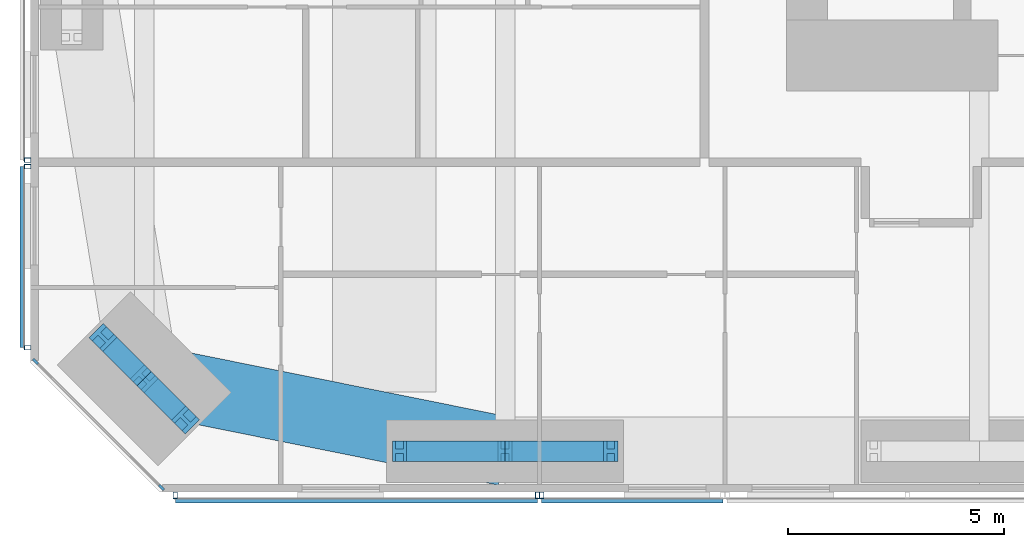
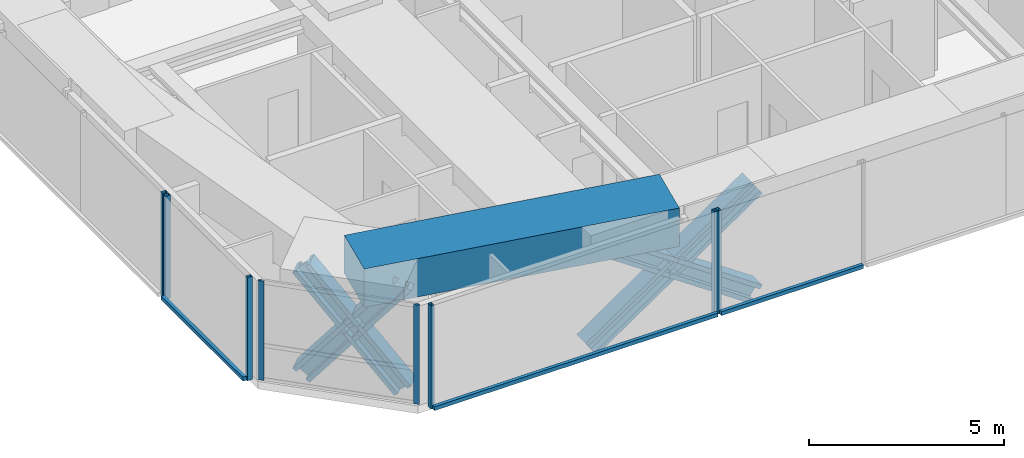
# One storey, part 2 of 24: 19 members, 1 beam, 5 elements without a shape of their own.
"""IFC4 building model written with IfcOpenShell, lengths in metres."""

import ifcopenshell
import ifcopenshell.guid

model = None  # the IFC model being written
_history = None  # IfcOwnerHistory: only IFC2X3 demands one
_inside = {}  # id of a spatial element -> (the spatial element, [elements in it])
_under = {}  # id of a project, library or spatial element -> (it, [spatial elements below it])
_declared = {}  # id of a project -> (the project, [libraries it declares])
_typed = {}  # id of a type object -> (the type object, [elements of that type])
_made_of = {}  # id of a material, layer set ... -> (it, [elements and type objects made of it])


def new_model(schema):
    """Start an empty IFC model of exactly this schema.

    Asked for "IFC4X3", IfcOpenShell would pick the latest addendum, in which some entities
    have other attributes; the version numbers below select the first issue.
    IFC2X3 requires an IfcOwnerHistory on every rooted entity: one is made here for all.
    """
    global model, _history
    if schema == "IFC4X3":
        model = ifcopenshell.file(schema_version=(4, 3, 0, 0))
    else:
        model = ifcopenshell.file(schema=schema)
    _inside.clear()
    _under.clear()
    _declared.clear()
    _typed.clear()
    _made_of.clear()
    _history = None
    if model.schema == "IFC2X3":
        org = make("IfcOrganization", Name="unknown")
        user = make(
            "IfcPersonAndOrganization",
            ThePerson=make("IfcPerson", FamilyName="unknown"),
            TheOrganization=org,
        )
        app = make(
            "IfcApplication",
            ApplicationDeveloper=org,
            Version="unknown",
            ApplicationFullName="unknown",
            ApplicationIdentifier="unknown",
        )
        _history = make(
            "IfcOwnerHistory",
            OwningUser=user,
            OwningApplication=app,
            ChangeAction="ADDED",
            CreationDate=0,
        )
    return model


def make(cls, **values):
    """One entity of the class cls with the attributes given. An attribute that is None is left unset."""
    return model.create_entity(
        cls, **{name: value for name, value in values.items() if value is not None}
    )


def rooted(cls, **values):
    """An entity with a GlobalId (a new one), such as an element, a storey or a relation."""
    return make(cls, GlobalId=ifcopenshell.guid.new(), OwnerHistory=_history, **values)


def si_unit(unit_type, name, prefix=None):
    """IfcSIUnit, for example si_unit("LENGTHUNIT", "METRE", prefix="MILLI")."""
    return make("IfcSIUnit", UnitType=unit_type, Prefix=prefix, Name=name)


def assignment(units):
    """IfcUnitAssignment: the units of a project."""
    return None if units is None else make("IfcUnitAssignment", Units=units)


def point(xyz):
    """IfcCartesianPoint."""
    return None if xyz is None else make("IfcCartesianPoint", Coordinates=xyz)


def direction(xyz):
    """IfcDirection."""
    return None if xyz is None else make("IfcDirection", DirectionRatios=xyz)


def frame(location, z_axis=None, x_axis=None):
    """IfcAxis2Placement3D, a coordinate frame: its origin and axes. An axis left out is left unset."""
    return make(
        "IfcAxis2Placement3D",
        Location=point(location),
        Axis=direction(z_axis),
        RefDirection=direction(x_axis),
    )


def frame_2d(location, x_axis=None):
    """IfcAxis2Placement2D, a coordinate frame in the plane: its origin and x axis."""
    return make(
        "IfcAxis2Placement2D", Location=point(location), RefDirection=direction(x_axis)
    )


def origin():
    """The frame at (0, 0, 0) with its axes left unset."""
    return frame((0.0, 0.0, 0.0))


def origin_2d():
    """The frame at (0, 0) in the plane with its x axis left unset."""
    return frame_2d((0.0, 0.0))


def place(relative_to, where):
    """IfcLocalPlacement: puts the frame where relative to a parent placement (None: the world)."""
    return make(
        "IfcLocalPlacement", PlacementRelTo=relative_to, RelativePlacement=where
    )


def context(
    kind, dimensions, precision=None, world=None, true_north=None, identifier=None
):
    """IfcGeometricRepresentationContext, for example the 3D "Model" context."""
    return make(
        "IfcGeometricRepresentationContext",
        ContextIdentifier=identifier,
        ContextType=kind,
        CoordinateSpaceDimension=dimensions,
        Precision=precision,
        WorldCoordinateSystem=world,
        TrueNorth=true_north,
    )


def subcontext(parent, identifier, kind, view, scale=None):
    """IfcGeometricRepresentationSubContext, for example "Body" below "Model"."""
    return make(
        "IfcGeometricRepresentationSubContext",
        ContextIdentifier=identifier,
        ContextType=kind,
        ParentContext=parent,
        TargetScale=scale,
        TargetView=view,
    )


def project(units=None, contexts=None):
    """IfcProject with its units and contexts."""
    return rooted(
        "IfcProject",
        Name="project",
        RepresentationContexts=contexts,
        UnitsInContext=assignment(units),
    )


def spatial(cls, under=None, at=None, **own):
    """A site, building, storey or space (cls), placed at a placement, below another one or the project."""
    s = rooted(cls, ObjectPlacement=at, **own)
    if under is not None:
        _under.setdefault(under.id(), (under, []))[1].append(s)
    return s


def profile(cls, at=None, kind="AREA", **sizes):
    """A parametric profile (cls). Its sizes go by their IFC names, for example OverallWidth=200.0."""
    return make(cls, ProfileType=kind, Position=at, **sizes)


def rectangle(**sizes):
    """IfcRectangleProfileDef."""
    return profile("IfcRectangleProfileDef", **sizes)


def hollow_rectangle(**sizes):
    """IfcRectangleHollowProfileDef."""
    return profile("IfcRectangleHollowProfileDef", **sizes)


def i_section(**sizes):
    """IfcIShapeProfileDef."""
    return profile("IfcIShapeProfileDef", **sizes)


def extrude(swept, where, along, depth):
    """IfcExtrudedAreaSolid: the profile swept, set in the frame where, extruded along a direction by depth."""
    return make(
        "IfcExtrudedAreaSolid",
        SweptArea=swept,
        Position=where,
        ExtrudedDirection=direction(along),
        Depth=depth,
    )


def shape(context_of_items, identifier, shape_type, items):
    """IfcShapeRepresentation: the items that make up one representation, for example the "Body"."""
    return make(
        "IfcShapeRepresentation",
        ContextOfItems=context_of_items,
        RepresentationIdentifier=identifier,
        RepresentationType=shape_type,
        Items=items,
    )


def material(Name=None, Category=None):
    """IfcMaterial."""
    return make("IfcMaterial", Name=Name, Category=Category)


def material_profile(
    of_material, cross_section, Name=None, Category=None, Priority=None
):
    """IfcMaterialProfile: a cross section and its material."""
    return make(
        "IfcMaterialProfile",
        Name=Name,
        Material=of_material,
        Profile=cross_section,
        Priority=Priority,
        Category=Category,
    )


def profile_set(profiles, Name=None, composite=None):
    """IfcMaterialProfileSet."""
    return make(
        "IfcMaterialProfileSet",
        Name=Name,
        MaterialProfiles=profiles,
        CompositeProfile=composite,
    )


def made_of(thing, what):
    """Note that an element or type object is made of a material, layer set ...; save() writes the relation."""
    if what is not None:
        _made_of.setdefault(what.id(), (what, []))[1].append(thing)
    return thing


def type_object(cls, material=None, **own):
    """A type object (cls), such as IfcWallType, which elements share."""
    return made_of(rooted(cls, **own), material)


def element(
    cls,
    number,
    at=None,
    inside=None,
    cuts=None,
    type_object=None,
    material=None,
    context=None,
    identifier="Body",
    shape_type=None,
    held_by="IfcProductDefinitionShape",
    body=None,
    shapes=None,
    **own,
):
    """One element of the class cls, such as IfcWall. Its Tag is "e" and its number.

    at: its placement. inside: the storey or other place that contains it. cuts: it is an
    opening in that element (IfcRelVoidsElement). A single representation is given by context,
    identifier, shape_type and body (its items); several are given by shapes. held_by: the class
    of the entity that holds the representations. save() writes the other relations.
    """
    e = rooted(cls, Tag="e%d" % number, ObjectPlacement=at, **own)
    if body is not None:
        shapes = [shape(context, identifier, shape_type, body)]
    if shapes is not None:
        e.Representation = make(held_by, Representations=shapes)
    if inside is not None:
        _inside.setdefault(inside.id(), (inside, []))[1].append(e)
    if cuts is not None:
        rooted(
            "IfcRelVoidsElement", RelatingBuildingElement=cuts, RelatedOpeningElement=e
        )
    if type_object is not None:
        _typed.setdefault(type_object.id(), (type_object, []))[1].append(e)
    return made_of(e, material)


def aggregate(whole, parts):
    """IfcRelAggregates: a whole, such as a stair, and the parts it consists of."""
    return rooted("IfcRelAggregates", RelatingObject=whole, RelatedObjects=parts)


def save(model, path):
    """Write the relations noted so far, then the file.

    IfcRelAggregates (storeys below a building ...), IfcRelContainedInSpatialStructure (elements
    in a storey), IfcRelDefinesByType, IfcRelAssociatesMaterial and IfcRelDeclares: one each for
    every whole, place, type object, material and project.
    """
    for whole, parts in _under.values():
        aggregate(whole, parts)
    for where, things in _inside.values():
        rooted(
            "IfcRelContainedInSpatialStructure",
            RelatedElements=things,
            RelatingStructure=where,
        )
    for kind, things in _typed.values():
        rooted("IfcRelDefinesByType", RelatedObjects=things, RelatingType=kind)
    for what, things in _made_of.values():
        rooted("IfcRelAssociatesMaterial", RelatedObjects=things, RelatingMaterial=what)
    for by, libraries in _declared.values():
        rooted("IfcRelDeclares", RelatingContext=by, RelatedDefinitions=libraries)
    model.write(path)


model = new_model("IFC4")

# Units and contexts
model_context = context("Model", 3, precision=1e-05, world=origin(), true_north=direction((0.0, 1.0)))
body_context = subcontext(model_context, "Body", "Model", "MODEL_VIEW")
ifc_project = project(units=[si_unit("LENGTHUNIT", "METRE"), si_unit("AREAUNIT", "SQUARE_METRE"), si_unit("VOLUMEUNIT", "CUBIC_METRE"), si_unit("PLANEANGLEUNIT", "RADIAN"), si_unit("MASSUNIT", "GRAM", prefix="KILO")], contexts=[model_context])

# Site, building, storey
site_placement = place(None, origin())
site = spatial("IfcSite", under=ifc_project, at=site_placement, CompositionType="ELEMENT")
building_placement = place(site_placement, origin())
building = spatial("IfcBuilding", under=site, at=building_placement, Name="Jalousie Tower", CompositionType="ELEMENT")
storey_placement = place(building_placement, frame((0.0, 0.0, 54.5)))
storey = spatial("IfcBuildingStorey", under=building, at=storey_placement, Name="L14", CompositionType="ELEMENT", Elevation=54.5)

# Curtain wall, members
ifc_material_1 = material(Name="Aluminium curtain wall", Category="aluminium")
curtain_wall_type_1 = type_object("IfcCurtainWallType", Name="CORNER WINDOW WALL", PredefinedType="USERDEFINED", material=ifc_material_1)
curtain_wall_1_placement = place(storey_placement, origin())
curtain_wall_1 = element("IfcCurtainWall", 1, at=curtain_wall_1_placement, inside=storey, type_object=curtain_wall_type_1, Name="Corner Window Wall L14 8", ObjectType="CORNER WINDOW WALL", PredefinedType="USERDEFINED")
ifc_material_2 = material(Name="Aluminium mullion", Category="aluminium")
ifc_material_profile_1 = material_profile(ifc_material_2, rectangle(XDim=0.06005859375, YDim=0.14990234375, at=origin_2d()), Name="MULLION 60x150")
ifc_profile_set_1 = profile_set([ifc_material_profile_1], Name="Aluminium mullion")
member_type_1 = type_object("IfcMemberType", Name="CORNER WINDOW WALL MULLION", PredefinedType="MULLION", material=ifc_profile_set_1)
member_1_placement = place(storey_placement, frame((2.108642578125, 3.030029296875, 0.0), z_axis=(0.0, 0.0, 1.0), x_axis=(0.707106781187, 0.707106781187, 0.0)))
member_1 = element("IfcMember", 2, at=member_1_placement, type_object=member_type_1, Name="CW-C mullion 1", PredefinedType="MULLION", context=body_context, shape_type="SweptSolid", body=[
    extrude(rectangle(XDim=0.06005859375, YDim=0.14990234375, at=origin_2d()), origin(), (0.0, 0.0, 1.0), 3.110107421875),
])
member_2_placement = place(storey_placement, frame((5.030029296875, 0.108642578125, 0.0), z_axis=(0.0, 0.0, 1.0), x_axis=(0.707106781187, 0.707106781187, 0.0)))
member_2 = element("IfcMember", 3, at=member_2_placement, type_object=member_type_1, Name="CW-C mullion 2", PredefinedType="MULLION", context=body_context, shape_type="SweptSolid", body=[
    extrude(rectangle(XDim=0.06005859375, YDim=0.14990234375, at=origin_2d()), origin(), (0.0, 0.0, 1.0), 3.110107421875),
])
aggregate(curtain_wall_1, [member_1, member_2])

# Members
ifc_material_3 = material(Name="Steel ASTM A992 Grade 50", Category="steel")
ifc_material_profile_2 = material_profile(ifc_material_3, i_section(OverallWidth=0.472412109375, OverallDepth=0.5791015625, WebThickness=0.094970703125, FlangeThickness=0.1298828125, at=origin_2d()), Name="W14X808")
ifc_profile_set_2 = profile_set([ifc_material_profile_2], Name="Steel ASTM A992 Grade 50")
member_type_2 = type_object("IfcMemberType", Name="PERIMETER BRACE W14X808", PredefinedType="BRACE", material=ifc_profile_set_2)
for number, where, z_axis, x_axis, name in (
    (4, (3.6767578125, 3.5859375, -0.60009765625), (0.443718327034, -0.443718327034, 0.778606506849), (0.707106781187, 0.707106781187, 0.0), "Perimeter brace 01 L14 part 1"),
    (5, (4.63134765625, 2.63134765625, 1.074951171875), (0.443718327034, -0.443718327034, 0.778606506849), (0.707106781187, 0.707106781187, 0.0), "Perimeter brace 01 L14 part 2"),
    (6, (5.5859375, 1.6767578125, -0.60009765625), (-0.443718327034, 0.443718327034, 0.778606506849), (-0.707106781187, -0.707106781187, 0.0), "Perimeter brace 01 L14 part 3"),
    (7, (4.63134765625, 2.63134765625, 1.074951171875), (-0.443718327034, 0.443718327034, 0.778606506849), (-0.707106781187, -0.707106781187, 0.0), "Perimeter brace 01 L14 part 4"),
):
    element("IfcMember", number, at=place(storey_placement, frame(where, z_axis=z_axis, x_axis=x_axis)), inside=storey, type_object=member_type_2, Name=name, PredefinedType="BRACE", context=body_context, shape_type="SweptSolid", body=[
        extrude(i_section(OverallWidth=0.472412109375, OverallDepth=0.5791015625, WebThickness=0.094970703125, FlangeThickness=0.1298828125, at=origin_2d()), origin(), (0.0, 0.0, 1.0), 2.1513671875),
    ])
for number, where, z_axis, x_axis, name in (
    (8, (10.550048828125, 0.949951171875, -0.60009765625), (0.825500916831, 0.0, 0.564400776321), (0.0, 1.0, 0.0), "Perimeter brace 02 L14 part 1"),
    (9, (13.0, 0.949951171875, 1.074951171875), (0.825500916831, 0.0, 0.564400776321), (0.0, 1.0, 0.0), "Perimeter brace 02 L14 part 2"),
    (10, (15.449951171875, 0.949951171875, -0.60009765625), (-0.825500916831, 0.0, 0.564400776321), (0.0, -1.0, 0.0), "Perimeter brace 02 L14 part 3"),
    (11, (13.0, 0.949951171875, 1.074951171875), (-0.825500916831, 0.0, 0.564400776321), (0.0, -1.0, 0.0), "Perimeter brace 02 L14 part 4"),
):
    element("IfcMember", number, at=place(storey_placement, frame(where, z_axis=z_axis, x_axis=x_axis)), inside=storey, type_object=member_type_2, Name=name, PredefinedType="BRACE", context=body_context, shape_type="SweptSolid", body=[
        extrude(i_section(OverallWidth=0.472412109375, OverallDepth=0.5791015625, WebThickness=0.094970703125, FlangeThickness=0.1298828125, at=origin_2d()), origin(), (0.0, 0.0, 1.0), 2.9677734375),
    ])

# Beam
ifc_material_4 = material(Name="Concrete f'c 40 MPa", Category="concrete")
ifc_material_profile_3 = material_profile(ifc_material_4, rectangle(XDim=1.60009765625, YDim=1.199951171875, at=origin_2d()), Name="RC 1600x1200")
ifc_profile_set_3 = profile_set([ifc_material_profile_3], Name="Concrete f'c 40 MPa")
beam_type = type_object("IfcBeamType", Name="RC BEAM 1600x1200", PredefinedType="BEAM", material=ifc_profile_set_3)
beam_placement = place(storey_placement, frame((4.63134765625, 2.63134765625, 2.75), z_axis=(0.980407585444, -0.196979609107, 0.0), x_axis=(0.196979609107, 0.980407585444, 0.0)))
element("IfcBeam", 12, at=beam_placement, inside=storey, type_object=beam_type, Name="Edge band beam 01-02 under L15", PredefinedType="BEAM", context=body_context, shape_type="SweptSolid", body=[
    extrude(rectangle(XDim=1.60009765625, YDim=1.199951171875, at=origin_2d()), origin(), (0.0, 0.0, 1.0), 8.535888671875),
])

# Curtain wall, members
ifc_material_5 = material(Name="Perforated aluminium sheet", Category="aluminium")
curtain_wall_type_2 = type_object("IfcCurtainWallType", Name="SOLAR SCREEN SS-1", PredefinedType="USERDEFINED", material=ifc_material_5)
curtain_wall_2_placement = place(storey_placement, origin())
curtain_wall_2 = element("IfcCurtainWall", 13, at=curtain_wall_2_placement, inside=storey, type_object=curtain_wall_type_2, Name="Solar screen L14", ObjectType="SOLAR SCREEN SS-1", PredefinedType="USERDEFINED")
ifc_material_6 = material(Name="Steel ASTM A500 Grade C", Category="steel")
ifc_material_profile_4 = material_profile(ifc_material_6, hollow_rectangle(XDim=0.1015625, YDim=0.15234375, WallThickness=0.00634765625, at=origin_2d()), Name="HSS6X4X1/4")
ifc_profile_set_4 = profile_set([ifc_material_profile_4], Name="Steel ASTM A500 Grade C")
member_type_3 = type_object("IfcMemberType", Name="SOLAR SCREEN SS-1 MULLION", PredefinedType="MULLION", material=ifc_profile_set_4)
member_3_placement = place(storey_placement, frame((5.351318359375, -0.0712890625, -0.1201171875), z_axis=(0.0, 0.0, 1.0), x_axis=(1.0, 0.0, 0.0)))
member_3 = element("IfcMember", 14, at=member_3_placement, type_object=member_type_3, Name="SS1 post 1", PredefinedType="MULLION", context=body_context, shape_type="SweptSolid", body=[
    extrude(hollow_rectangle(XDim=0.1015625, YDim=0.15234375, WallThickness=0.00634765625, at=origin_2d()), origin(), (0.0, 0.0, 1.0), 3.230224609375),
])
member_4_placement = place(storey_placement, frame((13.75, -0.0712890625, -0.1201171875), z_axis=(0.0, 0.0, 1.0), x_axis=(1.0, 0.0, 0.0)))
member_4 = element("IfcMember", 15, at=member_4_placement, type_object=member_type_3, Name="SS1 post 2", PredefinedType="MULLION", context=body_context, shape_type="SweptSolid", body=[
    extrude(hollow_rectangle(XDim=0.1015625, YDim=0.15234375, WallThickness=0.00634765625, at=origin_2d()), origin(), (0.0, 0.0, 1.0), 3.230224609375),
])

# Curtain wall, member
curtain_wall_3_placement = place(storey_placement, origin())
curtain_wall_3 = element("IfcCurtainWall", 16, at=curtain_wall_3_placement, inside=storey, type_object=curtain_wall_type_2, Name="Solar screen L14", ObjectType="SOLAR SCREEN SS-1", PredefinedType="USERDEFINED")
member_5_placement = place(storey_placement, frame((13.85009765625, -0.0712890625, -0.1201171875), z_axis=(0.0, 0.0, 1.0), x_axis=(1.0, 0.0, 0.0)))
member_5 = element("IfcMember", 17, at=member_5_placement, type_object=member_type_3, Name="SS1 post 1", PredefinedType="MULLION", context=body_context, shape_type="SweptSolid", body=[
    extrude(hollow_rectangle(XDim=0.1015625, YDim=0.15234375, WallThickness=0.00634765625, at=origin_2d()), origin(), (0.0, 0.0, 1.0), 3.230224609375),
])

curtain_wall_4_placement = place(storey_placement, origin())
curtain_wall_4 = element("IfcCurtainWall", 18, at=curtain_wall_4_placement, inside=storey, type_object=curtain_wall_type_2, Name="Solar screen L14", ObjectType="SOLAR SCREEN SS-1", PredefinedType="USERDEFINED")
member_6_placement = place(storey_placement, frame((1.9287109375, 7.699951171875, -0.1201171875), z_axis=(0.0, 0.0, 1.0), x_axis=(0.0, -1.0, 0.0)))
member_6 = element("IfcMember", 19, at=member_6_placement, type_object=member_type_3, Name="SS1 post 3", PredefinedType="MULLION", context=body_context, shape_type="SweptSolid", body=[
    extrude(hollow_rectangle(XDim=0.1015625, YDim=0.15234375, WallThickness=0.00634765625, at=origin_2d()), origin(), (0.0, 0.0, 1.0), 3.230224609375),
])
aggregate(curtain_wall_4, [member_6])

# Curtain wall, members
curtain_wall_5_placement = place(storey_placement, origin())
curtain_wall_5 = element("IfcCurtainWall", 20, at=curtain_wall_5_placement, inside=storey, type_object=curtain_wall_type_2, Name="Solar screen L14", ObjectType="SOLAR SCREEN SS-1", PredefinedType="USERDEFINED")
member_7_placement = place(storey_placement, frame((1.9287109375, 7.550048828125, -0.1201171875), z_axis=(0.0, 0.0, 1.0), x_axis=(0.0, -1.0, 0.0)))
member_7 = element("IfcMember", 21, at=member_7_placement, type_object=member_type_3, Name="SS1 post 1", PredefinedType="MULLION", context=body_context, shape_type="SweptSolid", body=[
    extrude(hollow_rectangle(XDim=0.1015625, YDim=0.15234375, WallThickness=0.00634765625, at=origin_2d()), origin(), (0.0, 0.0, 1.0), 3.230224609375),
])
member_8_placement = place(storey_placement, frame((1.9287109375, 3.351318359375, -0.1201171875), z_axis=(0.0, 0.0, 1.0), x_axis=(0.0, -1.0, 0.0)))
member_8 = element("IfcMember", 22, at=member_8_placement, type_object=member_type_3, Name="SS1 post 2", PredefinedType="MULLION", context=body_context, shape_type="SweptSolid", body=[
    extrude(hollow_rectangle(XDim=0.1015625, YDim=0.15234375, WallThickness=0.00634765625, at=origin_2d()), origin(), (0.0, 0.0, 1.0), 3.230224609375),
])

# Member
ifc_material_7 = material(Name="Extruded aluminium screen rail", Category="aluminium")
ifc_material_profile_5 = material_profile(ifc_material_7, rectangle(XDim=0.1015625, YDim=0.1201171875, at=origin_2d()), Name="RAIL 102x120")
ifc_profile_set_5 = profile_set([ifc_material_profile_5], Name="Extruded aluminium screen rail")
member_type_4 = type_object("IfcMemberType", Name="SOLAR SCREEN SS-1 TRANSOM", PredefinedType="USERDEFINED", material=ifc_profile_set_5)
member_9_placement = place(storey_placement, frame((5.351318359375, -0.1982421875, -0.06005859375), z_axis=(1.0, 0.0, 0.0), x_axis=(0.0, 1.0, 0.0)))
member_9 = element("IfcMember", 23, at=member_9_placement, type_object=member_type_4, Name="SS1 rail", ObjectType="TRANSOM", PredefinedType="USERDEFINED", context=body_context, shape_type="SweptSolid", body=[
    extrude(rectangle(XDim=0.1015625, YDim=0.1201171875, at=origin_2d()), origin(), (0.0, 0.0, 1.0), 8.398681640625),
])

aggregate(curtain_wall_2, [member_3, member_4, member_9])

member_10_placement = place(storey_placement, frame((13.85009765625, -0.1982421875, -0.06005859375), z_axis=(1.0, 0.0, 0.0), x_axis=(0.0, 1.0, 0.0)))
member_10 = element("IfcMember", 24, at=member_10_placement, type_object=member_type_4, Name="SS1 rail", ObjectType="TRANSOM", PredefinedType="USERDEFINED", context=body_context, shape_type="SweptSolid", body=[
    extrude(rectangle(XDim=0.1015625, YDim=0.1201171875, at=origin_2d()), origin(), (0.0, 0.0, 1.0), 4.199951171875),
])

aggregate(curtain_wall_3, [member_5, member_10])

member_11_placement = place(storey_placement, frame((1.8017578125, 7.550048828125, -0.06005859375), z_axis=(0.0, -1.0, 0.0), x_axis=(1.0, 0.0, 0.0)))
member_11 = element("IfcMember", 25, at=member_11_placement, type_object=member_type_4, Name="SS1 rail", ObjectType="TRANSOM", PredefinedType="USERDEFINED", context=body_context, shape_type="SweptSolid", body=[
    extrude(rectangle(XDim=0.1015625, YDim=0.1201171875, at=origin_2d()), origin(), (0.0, 0.0, 1.0), 4.19873046875),
])

aggregate(curtain_wall_5, [member_7, member_8, member_11])

save(model, "model.ifc")
